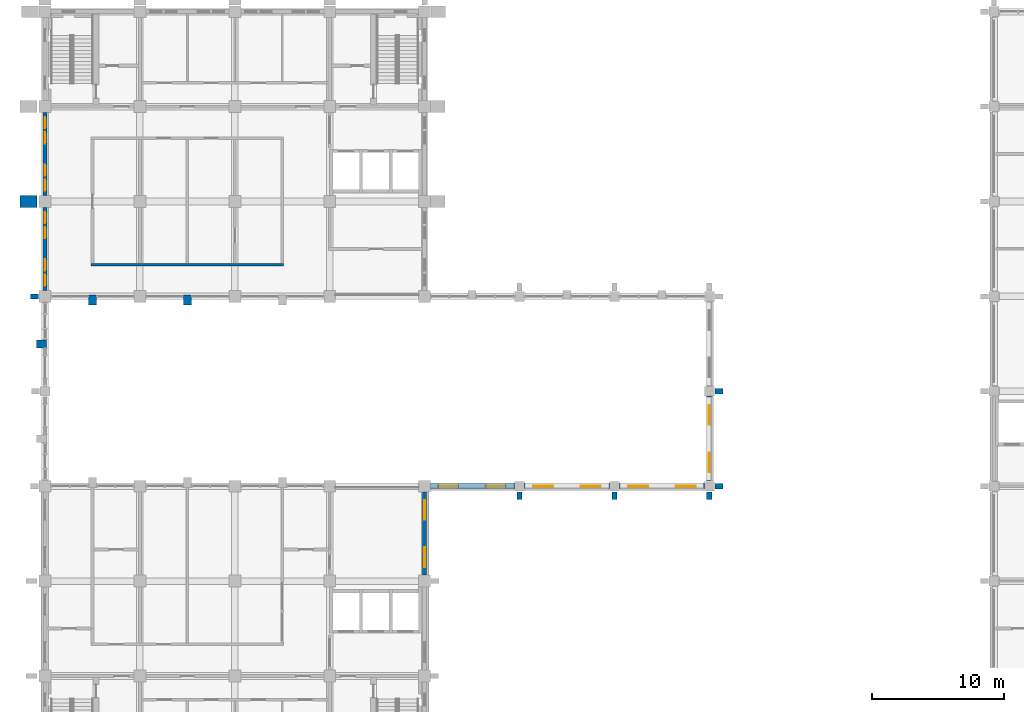
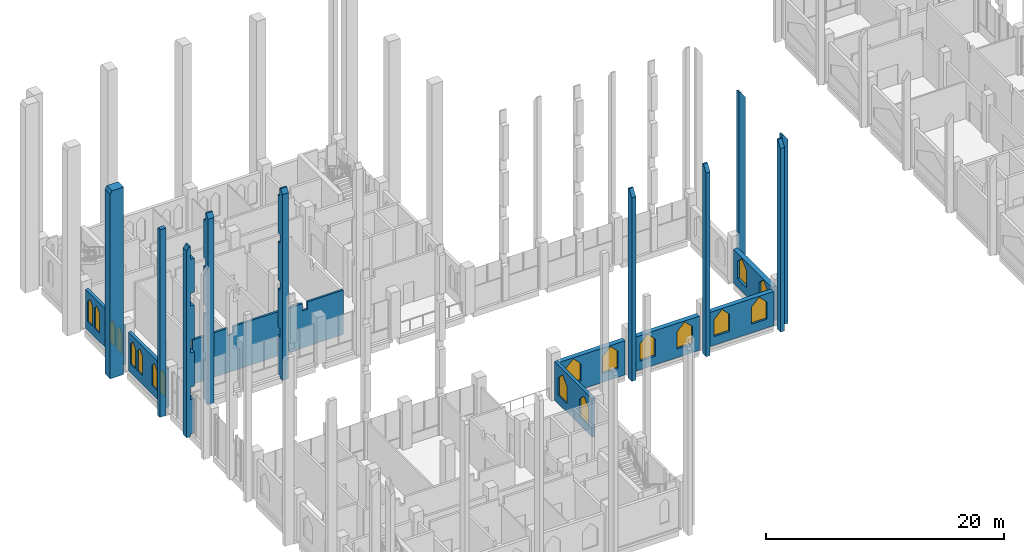
# One storey, part 30 of 40: 18 walls, 18 windows, 18 openings.
"""IFC4 building model written with IfcOpenShell, lengths in metres."""

from ifc_helpers import new_model, si_unit, direction, frame, frame_2d, origin, place, context, subcontext, project, spatial, polyline, rectangle, outline, extrude, material, layer, layer_set, type_object, element, fill, save


model = new_model("IFC4")

# Units and contexts
model_context = context("Model", 3, precision=1e-05, world=origin(), true_north=direction((0.0, 1.0)))
body_context = subcontext(model_context, "Body", "Model", "MODEL_VIEW")
ifc_project = project(units=[si_unit("LENGTHUNIT", "METRE"), si_unit("AREAUNIT", "SQUARE_METRE"), si_unit("VOLUMEUNIT", "CUBIC_METRE"), si_unit("PLANEANGLEUNIT", "RADIAN"), si_unit("MASSUNIT", "GRAM", prefix="KILO")], contexts=[model_context])

# Site, building, storey
site_placement = place(None, origin())
site = spatial("IfcSite", under=ifc_project, at=site_placement, CompositionType="ELEMENT")
building_placement = place(site_placement, origin())
building = spatial("IfcBuilding", under=site, at=building_placement, Name="Silangan Lancet Faculty of Sciences", CompositionType="ELEMENT")
storey_placement = place(building_placement, frame((0.0, 0.0, 21.60009765625)))
storey = spatial("IfcBuildingStorey", under=building, at=storey_placement, Name="L04", CompositionType="ELEMENT", Elevation=21.60009765625)

# Wall, openings, windows
ifc_material_1 = material(Name="Concrete C40/50 precast", Category="concrete")
ifc_layer_1 = layer(ifc_material_1, 0.300048828125)
ifc_layer_set_1 = layer_set([ifc_layer_1], Name="Concrete C40/50 precast")
wall_type_1 = type_object("IfcWallType", Name="EW1 Precast cladding wall", PredefinedType="STANDARD", material=ifc_layer_set_1)
wall_1_placement = place(storey_placement, frame((0.0, 36.449951171875, 0.0), z_axis=(0.0, 0.0, 1.0), x_axis=(0.0, 1.0, 0.0)))
wall_1 = element("IfcWall", 1, at=wall_1_placement, inside=storey, type_object=wall_type_1, Name="EW-L04-W-NT-00", PredefinedType="STANDARD", context=body_context, shape_type="SweptSolid", body=[
    extrude(rectangle(XDim=6.300048828125, YDim=0.300048828125, at=frame_2d((3.14990234375, 0.0))), origin(), (0.0, 0.0, 1.0), 3.949951171875),
])
opening_1_placement = place(wall_1_placement, frame((0.35009765625, 0.0, 0.89990234375)))
opening_1 = element("IfcOpeningElement", 2, at=opening_1_placement, cuts=wall_1, Name="Opening W14", PredefinedType="OPENING", context=body_context, shape_type="SweptSolid", body=[
    extrude(outline(polyline([(0.0, 0.0), (0.85009765625, 0.0), (0.85009765625, 2.050048828125), (0.425048828125, 2.5), (0.0, 2.050048828125), (0.0, 0.0)])), frame((0.0, 0.159912109375, 0.0), z_axis=(0.0, -1.0, 0.0), x_axis=(1.0, 0.0, 0.0)), (0.0, 0.0, 1.0), 0.320068359375),
])
opening_2_placement = place(wall_1_placement, frame((1.5, 0.0, 0.89990234375)))
opening_2 = element("IfcOpeningElement", 3, at=opening_2_placement, cuts=wall_1, Name="Opening W14", PredefinedType="OPENING", context=body_context, shape_type="SweptSolid", body=[
    extrude(outline(polyline([(0.0, 0.0), (0.85009765625, 0.0), (0.85009765625, 2.050048828125), (0.425048828125, 2.5), (0.0, 2.050048828125), (0.0, 0.0)])), frame((0.0, 0.159912109375, 0.0), z_axis=(0.0, -1.0, 0.0), x_axis=(1.0, 0.0, 0.0)), (0.0, 0.0, 1.0), 0.320068359375),
])
opening_3_placement = place(wall_1_placement, frame((3.949951171875, 0.0, 0.89990234375)))
opening_3 = element("IfcOpeningElement", 4, at=opening_3_placement, cuts=wall_1, Name="Opening W14", PredefinedType="OPENING", context=body_context, shape_type="SweptSolid", body=[
    extrude(outline(polyline([(0.0, 0.0), (0.85009765625, 0.0), (0.85009765625, 2.050048828125), (0.425048828125, 2.5), (0.0, 2.050048828125), (0.0, 0.0)])), frame((0.0, 0.159912109375, 0.0), z_axis=(0.0, -1.0, 0.0), x_axis=(1.0, 0.0, 0.0)), (0.0, 0.0, 1.0), 0.320068359375),
])
opening_4_placement = place(wall_1_placement, frame((5.10009765625, 0.0, 0.89990234375)))
opening_4 = element("IfcOpeningElement", 5, at=opening_4_placement, cuts=wall_1, Name="Opening W14", PredefinedType="OPENING", context=body_context, shape_type="SweptSolid", body=[
    extrude(outline(polyline([(0.0, 0.0), (0.85009765625, 0.0), (0.85009765625, 2.050048828125), (0.425048828125, 2.5), (0.0, 2.050048828125), (0.0, 0.0)])), frame((0.0, 0.159912109375, 0.0), z_axis=(0.0, -1.0, 0.0), x_axis=(1.0, 0.0, 0.0)), (0.0, 0.0, 1.0), 0.320068359375),
])
ifc_material_2 = material(Name="Aluminium frame, laminated double glazing", Category="aluminium")
window_type_1 = type_object("IfcWindowType", Name="W14 Lancet window 850 x 2500", PartitioningType="SINGLE_PANEL", PredefinedType="WINDOW", material=ifc_material_2)
window_1_placement = place(opening_1_placement, origin())
window_1 = element("IfcWindow", 6, at=window_1_placement, inside=storey, type_object=window_type_1, Name="WIN-L04-W-NT-00a1", OverallHeight=2.5, OverallWidth=0.85009765625, PartitioningType="SINGLE_PANEL", PredefinedType="WINDOW", context=body_context, shape_type="SweptSolid", body=[
    extrude(outline(polyline([(0.0, 0.0), (0.85009765625, 0.0), (0.85009765625, 2.050048828125), (0.425048828125, 2.5), (0.0, 2.050048828125), (0.0, 0.0)])), frame((0.0, 0.030029296875, 0.0), z_axis=(0.0, -1.0, 0.0), x_axis=(1.0, 0.0, 0.0)), (0.0, 0.0, 1.0), 0.06005859375),
])
fill(opening_1, window_1)
window_2_placement = place(opening_2_placement, origin())
window_2 = element("IfcWindow", 7, at=window_2_placement, inside=storey, type_object=window_type_1, Name="WIN-L04-W-NT-00a2", OverallHeight=2.5, OverallWidth=0.85009765625, PartitioningType="SINGLE_PANEL", PredefinedType="WINDOW", context=body_context, shape_type="SweptSolid", body=[
    extrude(outline(polyline([(0.0, 0.0), (0.85009765625, 0.0), (0.85009765625, 2.050048828125), (0.425048828125, 2.5), (0.0, 2.050048828125), (0.0, 0.0)])), frame((0.0, 0.030029296875, 0.0), z_axis=(0.0, -1.0, 0.0), x_axis=(1.0, 0.0, 0.0)), (0.0, 0.0, 1.0), 0.06005859375),
])
fill(opening_2, window_2)
window_3_placement = place(opening_3_placement, origin())
window_3 = element("IfcWindow", 8, at=window_3_placement, inside=storey, type_object=window_type_1, Name="WIN-L04-W-NT-00b1", OverallHeight=2.5, OverallWidth=0.85009765625, PartitioningType="SINGLE_PANEL", PredefinedType="WINDOW", context=body_context, shape_type="SweptSolid", body=[
    extrude(outline(polyline([(0.0, 0.0), (0.85009765625, 0.0), (0.85009765625, 2.050048828125), (0.425048828125, 2.5), (0.0, 2.050048828125), (0.0, 0.0)])), frame((0.0, 0.030029296875, 0.0), z_axis=(0.0, -1.0, 0.0), x_axis=(1.0, 0.0, 0.0)), (0.0, 0.0, 1.0), 0.06005859375),
])
fill(opening_3, window_3)
window_4_placement = place(opening_4_placement, origin())
window_4 = element("IfcWindow", 9, at=window_4_placement, inside=storey, type_object=window_type_1, Name="WIN-L04-W-NT-00b2", OverallHeight=2.5, OverallWidth=0.85009765625, PartitioningType="SINGLE_PANEL", PredefinedType="WINDOW", context=body_context, shape_type="SweptSolid", body=[
    extrude(outline(polyline([(0.0, 0.0), (0.85009765625, 0.0), (0.85009765625, 2.050048828125), (0.425048828125, 2.5), (0.0, 2.050048828125), (0.0, 0.0)])), frame((0.0, 0.030029296875, 0.0), z_axis=(0.0, -1.0, 0.0), x_axis=(1.0, 0.0, 0.0)), (0.0, 0.0, 1.0), 0.06005859375),
])
fill(opening_4, window_4)

wall_2_placement = place(storey_placement, frame((0.0, 43.64990234375, 0.0), z_axis=(0.0, 0.0, 1.0), x_axis=(0.0, 1.0, 0.0)))
wall_2 = element("IfcWall", 10, at=wall_2_placement, inside=storey, type_object=wall_type_1, Name="EW-L04-W-NT-01", PredefinedType="STANDARD", context=body_context, shape_type="SweptSolid", body=[
    extrude(rectangle(XDim=6.300048828125, YDim=0.300048828125, at=frame_2d((3.14990234375, 0.0))), origin(), (0.0, 0.0, 1.0), 3.949951171875),
])
opening_5_placement = place(wall_2_placement, frame((0.35009765625, 0.0, 0.89990234375)))
opening_5 = element("IfcOpeningElement", 11, at=opening_5_placement, cuts=wall_2, Name="Opening W14", PredefinedType="OPENING", context=body_context, shape_type="SweptSolid", body=[
    extrude(outline(polyline([(0.0, 0.0), (0.85009765625, 0.0), (0.85009765625, 2.050048828125), (0.425048828125, 2.5), (0.0, 2.050048828125), (0.0, 0.0)])), frame((0.0, 0.159912109375, 0.0), z_axis=(0.0, -1.0, 0.0), x_axis=(1.0, 0.0, 0.0)), (0.0, 0.0, 1.0), 0.320068359375),
])
opening_6_placement = place(wall_2_placement, frame((1.5, 0.0, 0.89990234375)))
opening_6 = element("IfcOpeningElement", 12, at=opening_6_placement, cuts=wall_2, Name="Opening W14", PredefinedType="OPENING", context=body_context, shape_type="SweptSolid", body=[
    extrude(outline(polyline([(0.0, 0.0), (0.85009765625, 0.0), (0.85009765625, 2.050048828125), (0.425048828125, 2.5), (0.0, 2.050048828125), (0.0, 0.0)])), frame((0.0, 0.159912109375, 0.0), z_axis=(0.0, -1.0, 0.0), x_axis=(1.0, 0.0, 0.0)), (0.0, 0.0, 1.0), 0.320068359375),
])
opening_7_placement = place(wall_2_placement, frame((3.949951171875, 0.0, 0.89990234375)))
opening_7 = element("IfcOpeningElement", 13, at=opening_7_placement, cuts=wall_2, Name="Opening W14", PredefinedType="OPENING", context=body_context, shape_type="SweptSolid", body=[
    extrude(outline(polyline([(0.0, 0.0), (0.85009765625, 0.0), (0.85009765625, 2.050048828125), (0.425048828125, 2.5), (0.0, 2.050048828125), (0.0, 0.0)])), frame((0.0, 0.159912109375, 0.0), z_axis=(0.0, -1.0, 0.0), x_axis=(1.0, 0.0, 0.0)), (0.0, 0.0, 1.0), 0.320068359375),
])
opening_8_placement = place(wall_2_placement, frame((5.10009765625, 0.0, 0.89990234375)))
opening_8 = element("IfcOpeningElement", 14, at=opening_8_placement, cuts=wall_2, Name="Opening W14", PredefinedType="OPENING", context=body_context, shape_type="SweptSolid", body=[
    extrude(outline(polyline([(0.0, 0.0), (0.85009765625, 0.0), (0.85009765625, 2.050048828125), (0.425048828125, 2.5), (0.0, 2.050048828125), (0.0, 0.0)])), frame((0.0, 0.159912109375, 0.0), z_axis=(0.0, -1.0, 0.0), x_axis=(1.0, 0.0, 0.0)), (0.0, 0.0, 1.0), 0.320068359375),
])
window_5_placement = place(opening_5_placement, origin())
window_5 = element("IfcWindow", 15, at=window_5_placement, inside=storey, type_object=window_type_1, Name="WIN-L04-W-NT-01a1", OverallHeight=2.5, OverallWidth=0.85009765625, PartitioningType="SINGLE_PANEL", PredefinedType="WINDOW", context=body_context, shape_type="SweptSolid", body=[
    extrude(outline(polyline([(0.0, 0.0), (0.85009765625, 0.0), (0.85009765625, 2.050048828125), (0.425048828125, 2.5), (0.0, 2.050048828125), (0.0, 0.0)])), frame((0.0, 0.030029296875, 0.0), z_axis=(0.0, -1.0, 0.0), x_axis=(1.0, 0.0, 0.0)), (0.0, 0.0, 1.0), 0.06005859375),
])
fill(opening_5, window_5)
window_6_placement = place(opening_6_placement, origin())
window_6 = element("IfcWindow", 16, at=window_6_placement, inside=storey, type_object=window_type_1, Name="WIN-L04-W-NT-01a2", OverallHeight=2.5, OverallWidth=0.85009765625, PartitioningType="SINGLE_PANEL", PredefinedType="WINDOW", context=body_context, shape_type="SweptSolid", body=[
    extrude(outline(polyline([(0.0, 0.0), (0.85009765625, 0.0), (0.85009765625, 2.050048828125), (0.425048828125, 2.5), (0.0, 2.050048828125), (0.0, 0.0)])), frame((0.0, 0.030029296875, 0.0), z_axis=(0.0, -1.0, 0.0), x_axis=(1.0, 0.0, 0.0)), (0.0, 0.0, 1.0), 0.06005859375),
])
fill(opening_6, window_6)
window_7_placement = place(opening_7_placement, origin())
window_7 = element("IfcWindow", 17, at=window_7_placement, inside=storey, type_object=window_type_1, Name="WIN-L04-W-NT-01b1", OverallHeight=2.5, OverallWidth=0.85009765625, PartitioningType="SINGLE_PANEL", PredefinedType="WINDOW", context=body_context, shape_type="SweptSolid", body=[
    extrude(outline(polyline([(0.0, 0.0), (0.85009765625, 0.0), (0.85009765625, 2.050048828125), (0.425048828125, 2.5), (0.0, 2.050048828125), (0.0, 0.0)])), frame((0.0, 0.030029296875, 0.0), z_axis=(0.0, -1.0, 0.0), x_axis=(1.0, 0.0, 0.0)), (0.0, 0.0, 1.0), 0.06005859375),
])
fill(opening_7, window_7)
window_8_placement = place(opening_8_placement, origin())
window_8 = element("IfcWindow", 18, at=window_8_placement, inside=storey, type_object=window_type_1, Name="WIN-L04-W-NT-01b2", OverallHeight=2.5, OverallWidth=0.85009765625, PartitioningType="SINGLE_PANEL", PredefinedType="WINDOW", context=body_context, shape_type="SweptSolid", body=[
    extrude(outline(polyline([(0.0, 0.0), (0.85009765625, 0.0), (0.85009765625, 2.050048828125), (0.425048828125, 2.5), (0.0, 2.050048828125), (0.0, 0.0)])), frame((0.0, 0.030029296875, 0.0), z_axis=(0.0, -1.0, 0.0), x_axis=(1.0, 0.0, 0.0)), (0.0, 0.0, 1.0), 0.06005859375),
])
fill(opening_8, window_8)

wall_3_placement = place(storey_placement, frame((28.800048828125, 14.85009765625, 0.0), z_axis=(0.0, 0.0, 1.0), x_axis=(0.0, 1.0, 0.0)))
wall_3 = element("IfcWall", 19, at=wall_3_placement, inside=storey, type_object=wall_type_1, Name="EW-L04-E-ST-02", PredefinedType="STANDARD", context=body_context, shape_type="SweptSolid", body=[
    extrude(rectangle(XDim=6.2998046875, YDim=0.300048828125, at=frame_2d((3.14990234375, 0.0))), origin(), (0.0, 0.0, 1.0), 3.949951171875),
])
opening_9_placement = place(wall_3_placement, frame((0.60009765625, 0.0, 0.89990234375)))
opening_9 = element("IfcOpeningElement", 20, at=opening_9_placement, cuts=wall_3, Name="Opening W12", PredefinedType="OPENING", context=body_context, shape_type="SweptSolid", body=[
    extrude(outline(polyline([(0.0, 0.0), (1.5, 0.0), (1.5, 1.75), (0.75, 2.5), (0.0, 1.75), (0.0, 0.0)])), frame((0.0, 0.159912109375, 0.0), z_axis=(0.0, -1.0, 0.0), x_axis=(1.0, 0.0, 0.0)), (0.0, 0.0, 1.0), 0.320068359375),
])
opening_10_placement = place(wall_3_placement, frame((4.199951171875, 0.0, 0.89990234375)))
opening_10 = element("IfcOpeningElement", 21, at=opening_10_placement, cuts=wall_3, Name="Opening W12", PredefinedType="OPENING", context=body_context, shape_type="SweptSolid", body=[
    extrude(outline(polyline([(0.0, 0.0), (1.5, 0.0), (1.5, 1.75), (0.75, 2.5), (0.0, 1.75), (0.0, 0.0)])), frame((0.0, 0.159912109375, 0.0), z_axis=(0.0, -1.0, 0.0), x_axis=(1.0, 0.0, 0.0)), (0.0, 0.0, 1.0), 0.320068359375),
])
ifc_material_3 = material(Name="Aluminium frame, laminated double glazing", Category="aluminium")
window_type_2 = type_object("IfcWindowType", Name="W12 Lancet window 1500 x 2500", PartitioningType="SINGLE_PANEL", PredefinedType="WINDOW", material=ifc_material_3)
window_9_placement = place(opening_9_placement, origin())
window_9 = element("IfcWindow", 22, at=window_9_placement, inside=storey, type_object=window_type_2, Name="WIN-L04-E-ST-02a", OverallHeight=2.5, OverallWidth=1.5, PartitioningType="SINGLE_PANEL", PredefinedType="WINDOW", context=body_context, shape_type="SweptSolid", body=[
    extrude(outline(polyline([(0.0, 0.0), (1.5, 0.0), (1.5, 1.75), (0.75, 2.5), (0.0, 1.75), (0.0, 0.0)])), frame((0.0, 0.030029296875, 0.0), z_axis=(0.0, -1.0, 0.0), x_axis=(1.0, 0.0, 0.0)), (0.0, 0.0, 1.0), 0.06005859375),
])
fill(opening_9, window_9)
window_10_placement = place(opening_10_placement, origin())
window_10 = element("IfcWindow", 23, at=window_10_placement, inside=storey, type_object=window_type_2, Name="WIN-L04-E-ST-02b", OverallHeight=2.5, OverallWidth=1.5, PartitioningType="SINGLE_PANEL", PredefinedType="WINDOW", context=body_context, shape_type="SweptSolid", body=[
    extrude(outline(polyline([(0.0, 0.0), (1.5, 0.0), (1.5, 1.75), (0.75, 2.5), (0.0, 1.75), (0.0, 0.0)])), frame((0.0, 0.030029296875, 0.0), z_axis=(0.0, -1.0, 0.0), x_axis=(1.0, 0.0, 0.0)), (0.0, 0.0, 1.0), 0.06005859375),
])
fill(opening_10, window_10)

ifc_material_4 = material(Name="Concrete C40/50", Category="concrete")
ifc_layer_2 = layer(ifc_material_4, 0.449951171875)
ifc_layer_set_2 = layer_set([ifc_layer_2], Name="Concrete C40/50")
wall_type_2 = type_object("IfcWallType", Name="EW8 Clerestory wall with deep reveals", PredefinedType="STANDARD", material=ifc_layer_set_2)
wall_4_placement = place(storey_placement, frame((29.25, 21.60009765625, 0.0), z_axis=(0.0, 0.0, 1.0), x_axis=(1.0, 0.0, 0.0)))
wall_4 = element("IfcWall", 24, at=wall_4_placement, inside=storey, type_object=wall_type_2, Name="EW-L04-S-NAVE-CL-00", PredefinedType="STANDARD", context=body_context, shape_type="SweptSolid", body=[
    extrude(rectangle(XDim=6.375, YDim=0.449951171875, at=frame_2d((3.1875, 0.0))), origin(), (0.0, 0.0, 1.0), 3.5),
])
opening_11_placement = place(wall_4_placement, frame((0.60009765625, 0.0, 0.89990234375)))
opening_11 = element("IfcOpeningElement", 25, at=opening_11_placement, cuts=wall_4, Name="Opening W12", PredefinedType="OPENING", context=body_context, shape_type="SweptSolid", body=[
    extrude(outline(polyline([(0.0, 0.0), (1.5, 0.0), (1.5, 1.75), (0.75, 2.5), (0.0, 1.75), (0.0, 0.0)])), frame((0.0, 0.23486328125, 0.0), z_axis=(0.0, -1.0, 0.0), x_axis=(1.0, 0.0, 0.0)), (0.0, 0.0, 1.0), 0.469970703125),
])
opening_12_placement = place(wall_4_placement, frame((4.199951171875, 0.0, 0.89990234375)))
opening_12 = element("IfcOpeningElement", 26, at=opening_12_placement, cuts=wall_4, Name="Opening W13", PredefinedType="OPENING", context=body_context, shape_type="SweptSolid", body=[
    extrude(outline(polyline([(0.0, 0.0), (1.5, 0.0), (1.5, 1.75), (0.75, 2.5), (0.0, 1.75), (0.0, 0.0)])), frame((0.0, 0.23486328125, 0.0), z_axis=(0.0, -1.0, 0.0), x_axis=(1.0, 0.0, 0.0)), (0.0, 0.0, 1.0), 0.469970703125),
])
window_11_placement = place(opening_11_placement, origin())
window_11 = element("IfcWindow", 27, at=window_11_placement, inside=storey, type_object=window_type_2, Name="WIN-L04-S-NAVE-CL-00a", OverallHeight=2.5, OverallWidth=1.5, PartitioningType="SINGLE_PANEL", PredefinedType="WINDOW", context=body_context, shape_type="SweptSolid", body=[
    extrude(outline(polyline([(0.0, 0.0), (1.5, 0.0), (1.5, 1.75), (0.75, 2.5), (0.0, 1.75), (0.0, 0.0)])), frame((0.0, 0.030029296875, 0.0), z_axis=(0.0, -1.0, 0.0), x_axis=(1.0, 0.0, 0.0)), (0.0, 0.0, 1.0), 0.06005859375),
])
fill(opening_11, window_11)
ifc_material_5 = material(Name="Aluminium storm louvre blades", Category="aluminium")
window_type_3 = type_object("IfcWindowType", Name="W13 Storm louvre lancet 1500 x 2500", PartitioningType="SINGLE_PANEL", PredefinedType="WINDOW", material=ifc_material_5)
window_12_placement = place(opening_12_placement, origin())
window_12 = element("IfcWindow", 28, at=window_12_placement, inside=storey, type_object=window_type_3, Name="WIN-L04-S-NAVE-CL-00b", OverallHeight=2.5, OverallWidth=1.5, PartitioningType="SINGLE_PANEL", PredefinedType="WINDOW", context=body_context, shape_type="SweptSolid", body=[
    extrude(outline(polyline([(0.0, 0.0), (1.5, 0.0), (1.5, 1.75), (0.75, 2.5), (0.0, 1.75), (0.0, 0.0)])), frame((0.0, 0.030029296875, 0.0), z_axis=(0.0, -1.0, 0.0), x_axis=(1.0, 0.0, 0.0)), (0.0, 0.0, 1.0), 0.06005859375),
])
fill(opening_12, window_12)

wall_5_placement = place(storey_placement, frame((36.375, 21.60009765625, 0.0), z_axis=(0.0, 0.0, 1.0), x_axis=(1.0, 0.0, 0.0)))
wall_5 = element("IfcWall", 29, at=wall_5_placement, inside=storey, type_object=wall_type_2, Name="EW-L04-S-NAVE-CL-01", PredefinedType="STANDARD", context=body_context, shape_type="SweptSolid", body=[
    extrude(rectangle(XDim=6.449951171875, YDim=0.449951171875, at=frame_2d((3.22509765625, 0.0))), origin(), (0.0, 0.0, 1.0), 3.5),
])
opening_13_placement = place(wall_5_placement, frame((0.675048828125, 0.0, 0.89990234375)))
opening_13 = element("IfcOpeningElement", 30, at=opening_13_placement, cuts=wall_5, Name="Opening W12", PredefinedType="OPENING", context=body_context, shape_type="SweptSolid", body=[
    extrude(outline(polyline([(0.0, 0.0), (1.5, 0.0), (1.5, 1.75), (0.75, 2.5), (0.0, 1.75), (0.0, 0.0)])), frame((0.0, 0.23486328125, 0.0), z_axis=(0.0, -1.0, 0.0), x_axis=(1.0, 0.0, 0.0)), (0.0, 0.0, 1.0), 0.469970703125),
])
opening_14_placement = place(wall_5_placement, frame((4.27490234375, 0.0, 0.89990234375)))
opening_14 = element("IfcOpeningElement", 31, at=opening_14_placement, cuts=wall_5, Name="Opening W13", PredefinedType="OPENING", context=body_context, shape_type="SweptSolid", body=[
    extrude(outline(polyline([(0.0, 0.0), (1.5, 0.0), (1.5, 1.75), (0.75, 2.5), (0.0, 1.75), (0.0, 0.0)])), frame((0.0, 0.23486328125, 0.0), z_axis=(0.0, -1.0, 0.0), x_axis=(1.0, 0.0, 0.0)), (0.0, 0.0, 1.0), 0.469970703125),
])
window_13_placement = place(opening_13_placement, origin())
window_13 = element("IfcWindow", 32, at=window_13_placement, inside=storey, type_object=window_type_2, Name="WIN-L04-S-NAVE-CL-01a", OverallHeight=2.5, OverallWidth=1.5, PartitioningType="SINGLE_PANEL", PredefinedType="WINDOW", context=body_context, shape_type="SweptSolid", body=[
    extrude(outline(polyline([(0.0, 0.0), (1.5, 0.0), (1.5, 1.75), (0.75, 2.5), (0.0, 1.75), (0.0, 0.0)])), frame((0.0, 0.030029296875, 0.0), z_axis=(0.0, -1.0, 0.0), x_axis=(1.0, 0.0, 0.0)), (0.0, 0.0, 1.0), 0.06005859375),
])
fill(opening_13, window_13)
window_14_placement = place(opening_14_placement, origin())
window_14 = element("IfcWindow", 33, at=window_14_placement, inside=storey, type_object=window_type_3, Name="WIN-L04-S-NAVE-CL-01b", OverallHeight=2.5, OverallWidth=1.5, PartitioningType="SINGLE_PANEL", PredefinedType="WINDOW", context=body_context, shape_type="SweptSolid", body=[
    extrude(outline(polyline([(0.0, 0.0), (1.5, 0.0), (1.5, 1.75), (0.75, 2.5), (0.0, 1.75), (0.0, 0.0)])), frame((0.0, 0.030029296875, 0.0), z_axis=(0.0, -1.0, 0.0), x_axis=(1.0, 0.0, 0.0)), (0.0, 0.0, 1.0), 0.06005859375),
])
fill(opening_14, window_14)

wall_6_placement = place(storey_placement, frame((43.574951171875, 21.60009765625, 0.0), z_axis=(0.0, 0.0, 1.0), x_axis=(1.0, 0.0, 0.0)))
wall_6 = element("IfcWall", 34, at=wall_6_placement, inside=storey, type_object=wall_type_2, Name="EW-L04-S-NAVE-CL-02", PredefinedType="STANDARD", context=body_context, shape_type="SweptSolid", body=[
    extrude(rectangle(XDim=6.449951171875, YDim=0.449951171875, at=frame_2d((3.22509765625, 0.0))), origin(), (0.0, 0.0, 1.0), 3.5),
])
opening_15_placement = place(wall_6_placement, frame((0.675048828125, 0.0, 0.89990234375)))
opening_15 = element("IfcOpeningElement", 35, at=opening_15_placement, cuts=wall_6, Name="Opening W12", PredefinedType="OPENING", context=body_context, shape_type="SweptSolid", body=[
    extrude(outline(polyline([(0.0, 0.0), (1.5, 0.0), (1.5, 1.75), (0.75, 2.5), (0.0, 1.75), (0.0, 0.0)])), frame((0.0, 0.23486328125, 0.0), z_axis=(0.0, -1.0, 0.0), x_axis=(1.0, 0.0, 0.0)), (0.0, 0.0, 1.0), 0.469970703125),
])
opening_16_placement = place(wall_6_placement, frame((4.27490234375, 0.0, 0.89990234375)))
opening_16 = element("IfcOpeningElement", 36, at=opening_16_placement, cuts=wall_6, Name="Opening W13", PredefinedType="OPENING", context=body_context, shape_type="SweptSolid", body=[
    extrude(outline(polyline([(0.0, 0.0), (1.5, 0.0), (1.5, 1.75), (0.75, 2.5), (0.0, 1.75), (0.0, 0.0)])), frame((0.0, 0.23486328125, 0.0), z_axis=(0.0, -1.0, 0.0), x_axis=(1.0, 0.0, 0.0)), (0.0, 0.0, 1.0), 0.469970703125),
])
window_15_placement = place(opening_15_placement, origin())
window_15 = element("IfcWindow", 37, at=window_15_placement, inside=storey, type_object=window_type_2, Name="WIN-L04-S-NAVE-CL-02a", OverallHeight=2.5, OverallWidth=1.5, PartitioningType="SINGLE_PANEL", PredefinedType="WINDOW", context=body_context, shape_type="SweptSolid", body=[
    extrude(outline(polyline([(0.0, 0.0), (1.5, 0.0), (1.5, 1.75), (0.75, 2.5), (0.0, 1.75), (0.0, 0.0)])), frame((0.0, 0.030029296875, 0.0), z_axis=(0.0, -1.0, 0.0), x_axis=(1.0, 0.0, 0.0)), (0.0, 0.0, 1.0), 0.06005859375),
])
fill(opening_15, window_15)
window_16_placement = place(opening_16_placement, origin())
window_16 = element("IfcWindow", 38, at=window_16_placement, inside=storey, type_object=window_type_3, Name="WIN-L04-S-NAVE-CL-02b", OverallHeight=2.5, OverallWidth=1.5, PartitioningType="SINGLE_PANEL", PredefinedType="WINDOW", context=body_context, shape_type="SweptSolid", body=[
    extrude(outline(polyline([(0.0, 0.0), (1.5, 0.0), (1.5, 1.75), (0.75, 2.5), (0.0, 1.75), (0.0, 0.0)])), frame((0.0, 0.030029296875, 0.0), z_axis=(0.0, -1.0, 0.0), x_axis=(1.0, 0.0, 0.0)), (0.0, 0.0, 1.0), 0.06005859375),
])
fill(opening_16, window_16)

wall_7_placement = place(storey_placement, frame((50.39990234375, 21.97509765625, 0.0), z_axis=(0.0, 0.0, 1.0), x_axis=(0.0, 1.0, 0.0)))
wall_7 = element("IfcWall", 39, at=wall_7_placement, inside=storey, type_object=wall_type_2, Name="EW-L04-E-NAVE-00", PredefinedType="STANDARD", context=body_context, shape_type="SweptSolid", body=[
    extrude(rectangle(XDim=6.449951171875, YDim=0.449951171875, at=frame_2d((3.22509765625, 0.0))), origin(), (0.0, 0.0, 1.0), 3.5),
])
opening_17_placement = place(wall_7_placement, frame((0.675048828125, 0.0, 0.89990234375)))
opening_17 = element("IfcOpeningElement", 40, at=opening_17_placement, cuts=wall_7, Name="Opening W12", PredefinedType="OPENING", context=body_context, shape_type="SweptSolid", body=[
    extrude(outline(polyline([(0.0, 0.0), (1.5, 0.0), (1.5, 1.75), (0.75, 2.5), (0.0, 1.75), (0.0, 0.0)])), frame((0.0, 0.23486328125, 0.0), z_axis=(0.0, -1.0, 0.0), x_axis=(1.0, 0.0, 0.0)), (0.0, 0.0, 1.0), 0.469970703125),
])
opening_18_placement = place(wall_7_placement, frame((4.27490234375, 0.0, 0.89990234375)))
opening_18 = element("IfcOpeningElement", 41, at=opening_18_placement, cuts=wall_7, Name="Opening W13", PredefinedType="OPENING", context=body_context, shape_type="SweptSolid", body=[
    extrude(outline(polyline([(0.0, 0.0), (1.5, 0.0), (1.5, 1.75), (0.75, 2.5), (0.0, 1.75), (0.0, 0.0)])), frame((0.0, 0.23486328125, 0.0), z_axis=(0.0, -1.0, 0.0), x_axis=(1.0, 0.0, 0.0)), (0.0, 0.0, 1.0), 0.469970703125),
])
window_17_placement = place(opening_17_placement, origin())
window_17 = element("IfcWindow", 42, at=window_17_placement, inside=storey, type_object=window_type_2, Name="WIN-L04-E-NAVE-00a", OverallHeight=2.5, OverallWidth=1.5, PartitioningType="SINGLE_PANEL", PredefinedType="WINDOW", context=body_context, shape_type="SweptSolid", body=[
    extrude(outline(polyline([(0.0, 0.0), (1.5, 0.0), (1.5, 1.75), (0.75, 2.5), (0.0, 1.75), (0.0, 0.0)])), frame((0.0, 0.030029296875, 0.0), z_axis=(0.0, -1.0, 0.0), x_axis=(1.0, 0.0, 0.0)), (0.0, 0.0, 1.0), 0.06005859375),
])
fill(opening_17, window_17)
window_18_placement = place(opening_18_placement, origin())
window_18 = element("IfcWindow", 43, at=window_18_placement, inside=storey, type_object=window_type_3, Name="WIN-L04-E-NAVE-00b", OverallHeight=2.5, OverallWidth=1.5, PartitioningType="SINGLE_PANEL", PredefinedType="WINDOW", context=body_context, shape_type="SweptSolid", body=[
    extrude(outline(polyline([(0.0, 0.0), (1.5, 0.0), (1.5, 1.75), (0.75, 2.5), (0.0, 1.75), (0.0, 0.0)])), frame((0.0, 0.030029296875, 0.0), z_axis=(0.0, -1.0, 0.0), x_axis=(1.0, 0.0, 0.0)), (0.0, 0.0, 1.0), 0.06005859375),
])
fill(opening_18, window_18)

# Walls
ifc_material_6 = material(Name="Concrete C40/50 precast", Category="concrete")
ifc_layer_3 = layer(ifc_material_6, 0.39990234375)
ifc_layer_set_3 = layer_set([ifc_layer_3], Name="Concrete C40/50 precast")
wall_type_3 = type_object("IfcWallType", Name="FN21 Buttress Fin column line stage 2 19200", PredefinedType="POLYGONAL", material=ifc_layer_set_3)
wall_8_placement = place(storey_placement, frame((-0.5, 36.0, -0.25), z_axis=(0.0, 0.0, 1.0), x_axis=(-1.0, 0.0, 0.0)))
element("IfcWall", 44, at=wall_8_placement, inside=storey, type_object=wall_type_3, Name="FINC-W-NAVE-03-S2", PredefinedType="POLYGONAL", context=body_context, shape_type="SweptSolid", body=[
    extrude(outline(polyline([(0.60009765625, 0.0), (0.60009765625, 19.125), (0.550048828125, 19.199951171875), (0.0, 19.199951171875), (0.0, 0.0), (0.60009765625, 0.0)])), frame((0.0, 0.199951171875, 0.0), z_axis=(0.0, -1.0, 0.0), x_axis=(1.0, 0.0, 0.0)), (0.0, 0.0, 1.0), 0.39990234375),
])
ifc_material_7 = material(Name="Concrete C40/50 precast", Category="concrete")
ifc_layer_4 = layer(ifc_material_7, 0.39990234375)
ifc_layer_set_4 = layer_set([ifc_layer_4], Name="Concrete C40/50 precast")
wall_type_4 = type_object("IfcWallType", Name="FN24 Buttress Fin column line stage 2 19450", PredefinedType="POLYGONAL", material=ifc_layer_set_4)
for number, where, z_axis, x_axis, name in (
    (45, (36.0, 21.175048828125, -0.25), (0.0, 0.0, 1.0), (0.0, -1.0, 0.0), "FINC-S-NAVE-CL-01-S2"),
    (46, (43.199951171875, 21.175048828125, -0.25), (0.0, 0.0, 1.0), (0.0, -1.0, 0.0), "FINC-S-NAVE-CL-02-S2"),
    (47, (50.39990234375, 21.175048828125, -0.25), (0.0, 0.0, 1.0), (0.0, -1.0, 0.0), "FINC-S-NAVE-CL-03-S2"),
    (48, (50.824951171875, 21.60009765625, -0.25), (0.0, 0.0, 1.0), (1.0, 0.0, 0.0), "FINC-E-NAVE-01-S2"),
    (49, (50.824951171875, 28.800048828125, -0.25), (0.0, 0.0, 1.0), (1.0, 0.0, 0.0), "FINC-E-NAVE-02-S2"),
):
    element("IfcWall", number, at=place(storey_placement, frame(where, z_axis=z_axis, x_axis=x_axis)), inside=storey, type_object=wall_type_4, Name=name, PredefinedType="POLYGONAL", context=body_context, shape_type="SweptSolid", body=[
        extrude(outline(polyline([(0.60009765625, 0.0), (0.60009765625, 18.77490234375), (0.14990234375, 19.449951171875), (0.0, 19.449951171875), (0.0, 0.0), (0.60009765625, 0.0)])), frame((0.0, 0.199951171875, 0.0), z_axis=(0.0, -1.0, 0.0), x_axis=(1.0, 0.0, 0.0)), (0.0, 0.0, 1.0), 0.39990234375),
    ])
ifc_material_8 = material(Name="Concrete C40/50 precast", Category="concrete")
ifc_layer_5 = layer(ifc_material_8, 0.89990234375)
ifc_layer_set_5 = layer_set([ifc_layer_5], Name="Concrete C40/50 precast")
wall_type_5 = type_object("IfcWallType", Name="FN26 Buttress Fin column line stage 2 19200", PredefinedType="POLYGONAL", material=ifc_layer_set_5)
wall_9_placement = place(storey_placement, frame((-0.60009765625, 43.199951171875, -0.25), z_axis=(0.0, 0.0, 1.0), x_axis=(-1.0, 0.0, 0.0)))
element("IfcWall", 50, at=wall_9_placement, inside=storey, type_object=wall_type_5, Name="FINC-W-NT-01-S2", PredefinedType="POLYGONAL", context=body_context, shape_type="SweptSolid", body=[
    extrude(outline(polyline([(1.300048828125, 0.0), (1.300048828125, 18.89990234375), (1.10009765625, 19.199951171875), (0.0, 19.199951171875), (0.0, 0.0), (1.300048828125, 0.0)])), frame((0.0, 0.449951171875, 0.0), z_axis=(0.0, -1.0, 0.0), x_axis=(1.0, 0.0, 0.0)), (0.0, 0.0, 1.0), 0.89990234375),
])
ifc_material_9 = material(Name="Concrete C40/50 precast", Category="concrete")
ifc_layer_6 = layer(ifc_material_9, 0.60009765625)
ifc_layer_set_6 = layer_set([ifc_layer_6], Name="Concrete C40/50 precast")
wall_type_6 = type_object("IfcWallType", Name="FN4 Buttress Fin mid-bay stage 2 19450", PredefinedType="POLYGONAL", material=ifc_layer_set_6)
for number, where, z_axis, x_axis, name in (
    (51, (3.60009765625, 36.10009765625, -0.25), (0.0, 0.0, 1.0), (0.0, -1.0, 0.0), "FIN-ATR-NT-1-S2"),
    (52, (10.800048828125, 36.10009765625, -0.25), (0.0, 0.0, 1.0), (0.0, -1.0, 0.0), "FIN-ATR-NT-3-S2"),
):
    element("IfcWall", number, at=place(storey_placement, frame(where, z_axis=z_axis, x_axis=x_axis)), inside=storey, type_object=wall_type_6, Name=name, PredefinedType="POLYGONAL", context=body_context, shape_type="SweptSolid", body=[
        extrude(outline(polyline([(0.75, 0.0), (0.75, 19.0), (0.449951171875, 19.449951171875), (0.300048828125, 19.449951171875), (0.300048828125, 18.599853515625), (0.0, 18.599853515625), (0.0, 14.64990234375), (0.35009765625, 14.64990234375), (0.35009765625, 13.7998046875), (0.0, 13.7998046875), (0.0, 9.849853515625), (0.35009765625, 9.849853515625), (0.35009765625, 9.0), (0.0, 9.0), (0.0, 5.0498046875), (0.35009765625, 5.0498046875), (0.35009765625, 4.199951171875), (0.0, 4.199951171875), (0.0, 0.25), (0.35009765625, 0.25), (0.35009765625, 0.0), (0.75, 0.0)])), frame((0.0, 0.300048828125, 0.0), z_axis=(0.0, -1.0, 0.0), x_axis=(1.0, 0.0, 0.0)), (0.0, 0.0, 1.0), 0.60009765625),
    ])
ifc_material_10 = material(Name="Concrete C40/50 precast", Category="concrete")
ifc_layer_7 = layer(ifc_material_10, 0.60009765625)
ifc_layer_set_7 = layer_set([ifc_layer_7], Name="Concrete C40/50 precast")
wall_type_7 = type_object("IfcWallType", Name="FN6 Buttress Fin mid-bay stage 2 19450", PredefinedType="POLYGONAL", material=ifc_layer_set_7)
wall_10_placement = place(storey_placement, frame((0.10009765625, 32.39990234375, -0.25), z_axis=(0.0, 0.0, 1.0), x_axis=(-1.0, 0.0, 0.0)))
element("IfcWall", 53, at=wall_10_placement, inside=storey, type_object=wall_type_7, Name="FIN-W-NAVE-3-S2", PredefinedType="POLYGONAL", context=body_context, shape_type="SweptSolid", body=[
    extrude(outline(polyline([(0.75, 0.0), (0.75, 19.074951171875), (0.5, 19.449951171875), (0.35009765625, 19.449951171875), (0.35009765625, 18.14990234375), (0.0, 18.14990234375), (0.0, 14.64990234375), (0.35009765625, 14.64990234375), (0.35009765625, 13.349853515625), (0.0, 13.349853515625), (0.0, 9.849853515625), (0.35009765625, 9.849853515625), (0.35009765625, 8.5498046875), (0.0, 8.5498046875), (0.0, 5.0498046875), (0.35009765625, 5.0498046875), (0.35009765625, 3.75), (0.0, 3.75), (0.0, 0.25), (0.35009765625, 0.25), (0.35009765625, 0.0), (0.75, 0.0)])), frame((0.0, 0.300048828125, 0.0), z_axis=(0.0, -1.0, 0.0), x_axis=(1.0, 0.0, 0.0)), (0.0, 0.0, 1.0), 0.60009765625),
])
ifc_material_11 = material(Name="Hollow block masonry fm 7 MPa", Category="masonry")
ifc_layer_8 = layer(ifc_material_11, 0.199951171875)
ifc_layer_set_8 = layer_set([ifc_layer_8], Name="Hollow block masonry fm 7 MPa")
wall_type_8 = type_object("IfcWallType", Name="Interior wall PW1 Corridor wall CHB 200", PredefinedType="PARTITIONING", material=ifc_layer_set_8)
wall_11_placement = place(storey_placement, frame((3.5, 38.39990234375, 0.0), z_axis=(0.0, 0.0, 1.0), x_axis=(1.0, 0.0, 0.0)))
element("IfcWall", 54, at=wall_11_placement, inside=storey, type_object=wall_type_8, Name="Corridor wall CHB 200", PredefinedType="PARTITIONING", context=body_context, shape_type="SweptSolid", body=[
    extrude(outline(polyline([(0.0, 0.0), (14.60009765625, 0.0), (14.60009765625, 4.5498046875), (11.14990234375, 4.5498046875), (11.14990234375, 3.7998046875), (10.64990234375, 3.7998046875), (10.64990234375, 4.5498046875), (3.949951171875, 4.5498046875), (3.949951171875, 3.7998046875), (3.449951171875, 3.7998046875), (3.449951171875, 4.5498046875), (0.0, 4.5498046875), (0.0, 0.0)])), frame((0.0, 0.10009765625, 0.0), z_axis=(0.0, -1.0, 0.0), x_axis=(1.0, 0.0, 0.0)), (0.0, 0.0, 1.0), 0.199951171875),
])

save(model, "model.ifc")
